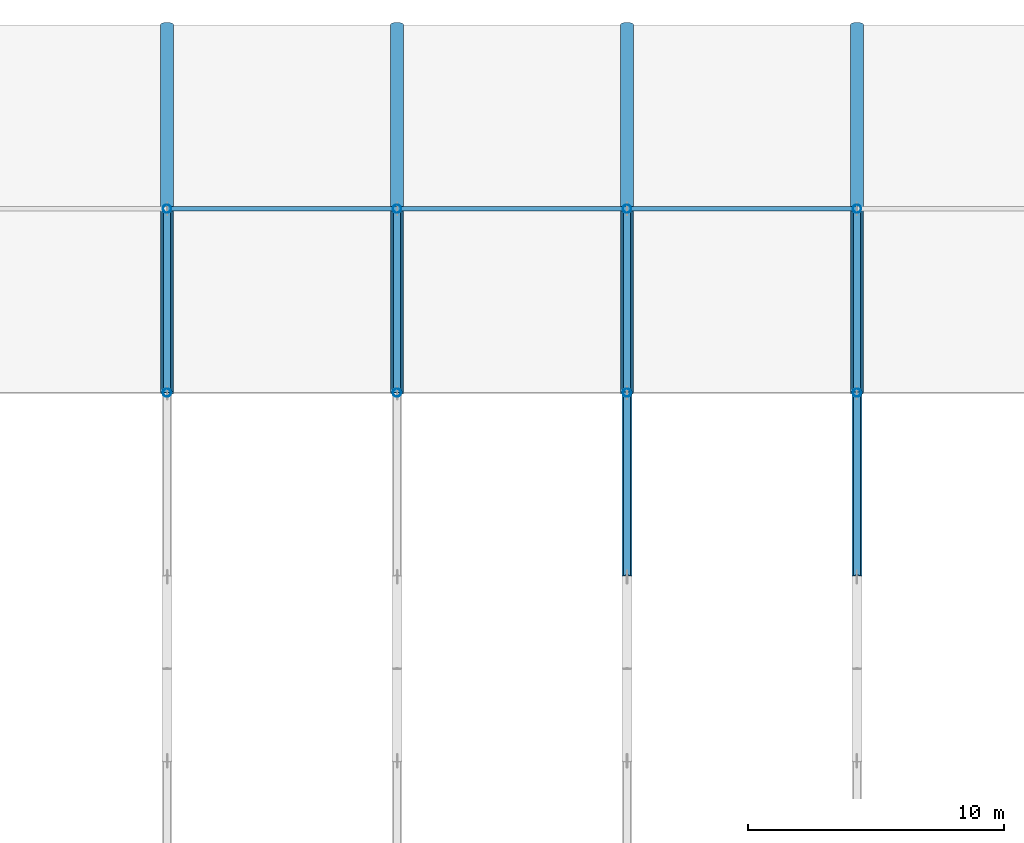
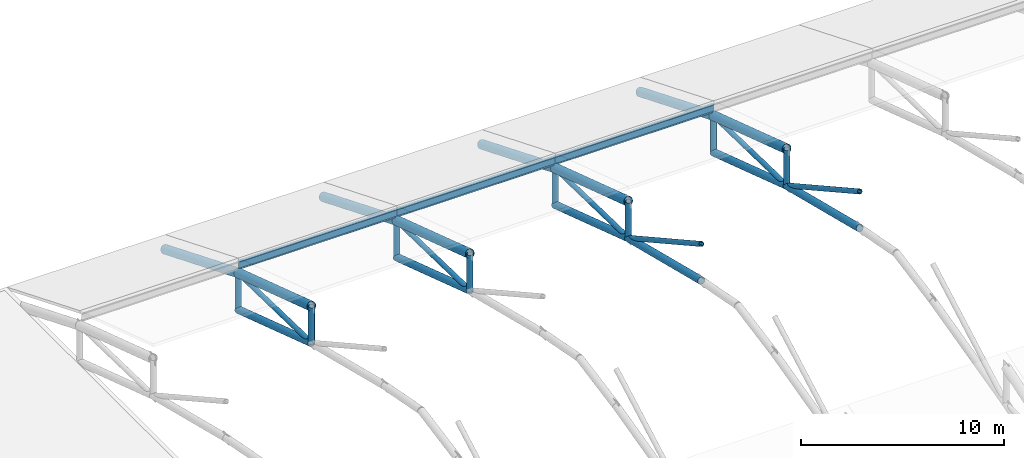
# One storey, part 50 of 78: 31 members.
"""IFC4 building model written with IfcOpenShell, lengths in metres."""

from ifc_helpers import new_model, si_unit, direction, frame, origin, origin_2d, place, context, subcontext, project, spatial, hollow_circle, i_section, extrude, material, material_profile, profile_set, type_object, element, save


model = new_model("IFC4")

# Units and contexts
model_context = context("Model", 3, precision=1e-05, world=origin(), true_north=direction((0.0, 1.0)))
body_context = subcontext(model_context, "Body", "Model", "MODEL_VIEW")
ifc_project = project(units=[si_unit("LENGTHUNIT", "METRE"), si_unit("AREAUNIT", "SQUARE_METRE"), si_unit("VOLUMEUNIT", "CUBIC_METRE"), si_unit("PLANEANGLEUNIT", "RADIAN"), si_unit("MASSUNIT", "GRAM", prefix="KILO")], contexts=[model_context])

# Site, building, storey
site_placement = place(None, origin())
site = spatial("IfcSite", under=ifc_project, at=site_placement, CompositionType="ELEMENT")
building_placement = place(site_placement, origin())
building = spatial("IfcBuilding", under=site, at=building_placement, Name="Celestram Park Convention Centre", CompositionType="ELEMENT")
storey_placement = place(building_placement, frame((0.0, 0.0, 19.800048828125)))
storey = spatial("IfcBuildingStorey", under=building, at=storey_placement, Name="L04", CompositionType="ELEMENT", Elevation=19.800048828125)

# Members
ifc_material_1 = material(Name="Steel ASTM A500 Grade C", Category="steel")
ifc_material_profile_1 = material_profile(ifc_material_1, hollow_circle(Radius=0.136474609375, WallThickness=0.010009765625, at=origin_2d()), Name="CHS273X10")
ifc_profile_set_1 = profile_set([ifc_material_profile_1], Name="Steel ASTM A500 Grade C")
member_type_1 = type_object("IfcMemberType", Name="STR-BRC-CHS273", PredefinedType="BRACE", material=ifc_profile_set_1)
for number, where, z_axis, x_axis, name in (
    (1, (162.0, 151.199951171875, 2.230712890625), (0.0, 0.999715192935, -0.023864890842), (-1.0, 0.0, 0.0), "V2 arch web diagonal"),
    (2, (171.0, 151.199951171875, 2.230712890625), (0.0, 0.999715192935, -0.023864890842), (-1.0, 0.0, 0.0), "V2 arch web diagonal"),
):
    element("IfcMember", number, at=place(storey_placement, frame(where, z_axis=z_axis, x_axis=x_axis)), inside=storey, type_object=member_type_1, Name=name, PredefinedType="BRACE", context=body_context, shape_type="SweptSolid", body=[
        extrude(hollow_circle(Radius=0.136474609375, WallThickness=0.010009765625, at=origin_2d()), origin(), (0.0, 0.0, 1.0), 7.201904296875),
    ])
member_1_placement = place(storey_placement, frame((180.0, 144.0, 6.2294921875), z_axis=(0.0, 0.874218793516, -0.485532183344), x_axis=(-1.0, 0.0, 0.0)))
element("IfcMember", 3, at=member_1_placement, inside=storey, type_object=member_type_1, Name="V2 arch web diagonal", PredefinedType="BRACE", context=body_context, shape_type="SweptSolid", body=[
    extrude(hollow_circle(Radius=0.136474609375, WallThickness=0.010009765625, at=origin_2d()), origin(), (0.0, 0.0, 1.0), 8.23583984375),
])
member_2_placement = place(storey_placement, frame((180.0, 151.199951171875, 2.230712890625), z_axis=(0.0, 0.999715192935, -0.023864890842), x_axis=(-1.0, 0.0, 0.0)))
element("IfcMember", 4, at=member_2_placement, inside=storey, type_object=member_type_1, Name="V2 arch web diagonal", PredefinedType="BRACE", context=body_context, shape_type="SweptSolid", body=[
    extrude(hollow_circle(Radius=0.136474609375, WallThickness=0.010009765625, at=origin_2d()), origin(), (0.0, 0.0, 1.0), 7.201904296875),
])
member_3_placement = place(storey_placement, frame((189.0, 144.0, 6.2294921875), z_axis=(0.0, 0.874218793516, -0.485532183344), x_axis=(-1.0, 0.0, 0.0)))
element("IfcMember", 5, at=member_3_placement, inside=storey, type_object=member_type_1, Name="V2 arch web diagonal", PredefinedType="BRACE", context=body_context, shape_type="SweptSolid", body=[
    extrude(hollow_circle(Radius=0.136474609375, WallThickness=0.010009765625, at=origin_2d()), origin(), (0.0, 0.0, 1.0), 8.23583984375),
])
member_4_placement = place(storey_placement, frame((189.0, 151.199951171875, 2.230712890625), z_axis=(0.0, 0.999715192935, -0.023864890842), x_axis=(-1.0, 0.0, 0.0)))
element("IfcMember", 6, at=member_4_placement, inside=storey, type_object=member_type_1, Name="V2 arch web diagonal", PredefinedType="BRACE", context=body_context, shape_type="SweptSolid", body=[
    extrude(hollow_circle(Radius=0.136474609375, WallThickness=0.010009765625, at=origin_2d()), origin(), (0.0, 0.0, 1.0), 7.201904296875),
])
ifc_material_profile_2 = material_profile(ifc_material_1, hollow_circle(Radius=0.202880859375, WallThickness=0.013916015625, at=origin_2d()), Name="CHS406X14")
ifc_profile_set_2 = profile_set([ifc_material_profile_2], Name="Steel ASTM A500 Grade C")
member_type_2 = type_object("IfcMemberType", Name="STR-CHD-CHS406", PredefinedType="CHORD", material=ifc_profile_set_2)
for number, where, z_axis, x_axis, name in (
    (7, (162.0, 151.199951171875, 2.230712890625), (0.0, 0.949791740943, -0.312882803678), (-1.0, 0.0, 0.0), "V2 arch bottom chord"),
    (8, (171.0, 151.199951171875, 2.230712890625), (0.0, 0.949791740943, -0.312882803678), (-1.0, 0.0, 0.0), "V2 arch bottom chord"),
):
    element("IfcMember", number, at=place(storey_placement, frame(where, z_axis=z_axis, x_axis=x_axis)), inside=storey, type_object=member_type_2, Name=name, PredefinedType="CHORD", context=body_context, shape_type="SweptSolid", body=[
        extrude(hollow_circle(Radius=0.202880859375, WallThickness=0.013916015625, at=origin_2d()), origin(), (0.0, 0.0, 1.0), 7.58056640625),
    ])
member_5_placement = place(storey_placement, frame((180.0, 144.0, 4.029541015625), z_axis=(0.0, 0.970179256757, -0.242388551212), x_axis=(-1.0, 0.0, 0.0)))
element("IfcMember", 9, at=member_5_placement, inside=storey, type_object=member_type_2, Name="V2 arch bottom chord", PredefinedType="CHORD", context=body_context, shape_type="SweptSolid", body=[
    extrude(hollow_circle(Radius=0.202880859375, WallThickness=0.013916015625, at=origin_2d()), origin(), (0.0, 0.0, 1.0), 7.421142578125),
])
member_6_placement = place(storey_placement, frame((180.0, 151.199951171875, 2.230712890625), z_axis=(0.0, 0.949791740943, -0.312882803678), x_axis=(-1.0, 0.0, 0.0)))
element("IfcMember", 10, at=member_6_placement, inside=storey, type_object=member_type_2, Name="V2 arch bottom chord", PredefinedType="CHORD", context=body_context, shape_type="SweptSolid", body=[
    extrude(hollow_circle(Radius=0.202880859375, WallThickness=0.013916015625, at=origin_2d()), origin(), (0.0, 0.0, 1.0), 7.58056640625),
])
member_7_placement = place(storey_placement, frame((189.0, 144.0, 4.029541015625), z_axis=(0.0, 0.970179256757, -0.242388551212), x_axis=(-1.0, 0.0, 0.0)))
element("IfcMember", 11, at=member_7_placement, inside=storey, type_object=member_type_2, Name="V2 arch bottom chord", PredefinedType="CHORD", context=body_context, shape_type="SweptSolid", body=[
    extrude(hollow_circle(Radius=0.202880859375, WallThickness=0.013916015625, at=origin_2d()), origin(), (0.0, 0.0, 1.0), 7.421142578125),
])
member_8_placement = place(storey_placement, frame((189.0, 151.199951171875, 2.230712890625), z_axis=(0.0, 0.949791740943, -0.312882803678), x_axis=(-1.0, 0.0, 0.0)))
element("IfcMember", 12, at=member_8_placement, inside=storey, type_object=member_type_2, Name="V2 arch bottom chord", PredefinedType="CHORD", context=body_context, shape_type="SweptSolid", body=[
    extrude(hollow_circle(Radius=0.202880859375, WallThickness=0.013916015625, at=origin_2d()), origin(), (0.0, 0.0, 1.0), 7.58056640625),
])
ifc_material_profile_3 = material_profile(ifc_material_1, hollow_circle(Radius=0.25390625, WallThickness=0.01611328125, at=origin_2d()), Name="CHS508X16")
ifc_profile_set_3 = profile_set([ifc_material_profile_3], Name="Steel ASTM A500 Grade C")
member_type_3 = type_object("IfcMemberType", Name="STR-CHD-CHS508", PredefinedType="CHORD", material=ifc_profile_set_3)
member_9_placement = place(storey_placement, frame((162.0, 151.199951171875, 4.4306640625), z_axis=(0.0, 0.949791740943, -0.312882803678), x_axis=(-1.0, 0.0, 0.0)))
element("IfcMember", 13, at=member_9_placement, inside=storey, type_object=member_type_3, Name="V2 arch top chord", PredefinedType="CHORD", context=body_context, shape_type="SweptSolid", body=[
    extrude(hollow_circle(Radius=0.25390625, WallThickness=0.01611328125, at=origin_2d()), origin(), (0.0, 0.0, 1.0), 7.58056640625),
])
member_10_placement = place(storey_placement, frame((162.0, 158.39990234375, 2.058837890625), z_axis=(0.0, 0.925578947987, -0.378554634159), x_axis=(-1.0, 0.0, 0.0)))
element("IfcMember", 14, at=member_10_placement, inside=storey, type_object=member_type_3, Name="V2 arch top chord", PredefinedType="CHORD", context=body_context, shape_type="SweptSolid", body=[
    extrude(hollow_circle(Radius=0.25390625, WallThickness=0.01611328125, at=origin_2d()), origin(), (0.0, 0.0, 1.0), 7.779052734375),
])
member_11_placement = place(storey_placement, frame((171.0, 151.199951171875, 4.4306640625), z_axis=(0.0, 0.949791740943, -0.312882803678), x_axis=(-1.0, 0.0, 0.0)))
element("IfcMember", 15, at=member_11_placement, inside=storey, type_object=member_type_3, Name="V2 arch top chord", PredefinedType="CHORD", context=body_context, shape_type="SweptSolid", body=[
    extrude(hollow_circle(Radius=0.25390625, WallThickness=0.01611328125, at=origin_2d()), origin(), (0.0, 0.0, 1.0), 7.58056640625),
])
member_12_placement = place(storey_placement, frame((171.0, 158.39990234375, 2.058837890625), z_axis=(0.0, 0.925578947987, -0.378554634159), x_axis=(-1.0, 0.0, 0.0)))
element("IfcMember", 16, at=member_12_placement, inside=storey, type_object=member_type_3, Name="V2 arch top chord", PredefinedType="CHORD", context=body_context, shape_type="SweptSolid", body=[
    extrude(hollow_circle(Radius=0.25390625, WallThickness=0.01611328125, at=origin_2d()), origin(), (0.0, 0.0, 1.0), 7.779052734375),
])
member_13_placement = place(storey_placement, frame((180.0, 151.199951171875, 4.4306640625), z_axis=(0.0, 0.949791740943, -0.312882803678), x_axis=(-1.0, 0.0, 0.0)))
element("IfcMember", 17, at=member_13_placement, inside=storey, type_object=member_type_3, Name="V2 arch top chord", PredefinedType="CHORD", context=body_context, shape_type="SweptSolid", body=[
    extrude(hollow_circle(Radius=0.25390625, WallThickness=0.01611328125, at=origin_2d()), origin(), (0.0, 0.0, 1.0), 7.58056640625),
])
member_14_placement = place(storey_placement, frame((180.0, 158.39990234375, 2.058837890625), z_axis=(0.0, 0.925578947987, -0.378554634159), x_axis=(-1.0, 0.0, 0.0)))
element("IfcMember", 18, at=member_14_placement, inside=storey, type_object=member_type_3, Name="V2 arch top chord", PredefinedType="CHORD", context=body_context, shape_type="SweptSolid", body=[
    extrude(hollow_circle(Radius=0.25390625, WallThickness=0.01611328125, at=origin_2d()), origin(), (0.0, 0.0, 1.0), 7.779052734375),
])
member_15_placement = place(storey_placement, frame((189.0, 151.199951171875, 4.4306640625), z_axis=(0.0, 0.949791740943, -0.312882803678), x_axis=(-1.0, 0.0, 0.0)))
element("IfcMember", 19, at=member_15_placement, inside=storey, type_object=member_type_3, Name="V2 arch top chord", PredefinedType="CHORD", context=body_context, shape_type="SweptSolid", body=[
    extrude(hollow_circle(Radius=0.25390625, WallThickness=0.01611328125, at=origin_2d()), origin(), (0.0, 0.0, 1.0), 7.58056640625),
])
member_16_placement = place(storey_placement, frame((189.0, 158.39990234375, 2.058837890625), z_axis=(0.0, 0.925578947987, -0.378554634159), x_axis=(-1.0, 0.0, 0.0)))
element("IfcMember", 20, at=member_16_placement, inside=storey, type_object=member_type_3, Name="V2 arch top chord", PredefinedType="CHORD", context=body_context, shape_type="SweptSolid", body=[
    extrude(hollow_circle(Radius=0.25390625, WallThickness=0.01611328125, at=origin_2d()), origin(), (0.0, 0.0, 1.0), 7.779052734375),
])
ifc_material_2 = material(Name="Steel ASTM A992 Grade 50", Category="steel")
ifc_material_profile_4 = material_profile(ifc_material_2, i_section(OverallWidth=0.19091796875, OverallDepth=0.45703125, WebThickness=0.009033203125, FlangeThickness=0.014404296875, at=origin_2d()), Name="W18X50")
ifc_profile_set_4 = profile_set([ifc_material_profile_4], Name="Steel ASTM A992 Grade 50")
member_type_4 = type_object("IfcMemberType", Name="STR-RFT-W18X50", PredefinedType="RAFTER", material=ifc_profile_set_4)
for number, where, z_axis, x_axis, name in (
    (21, (162.0, 158.39990234375, 2.541259765625), (1.0, 0.0, 0.0), (0.0, 1.0, 0.0), "V2 roof purlin"),
    (22, (171.0, 158.39990234375, 2.541259765625), (1.0, 0.0, 0.0), (0.0, 1.0, 0.0), "V2 roof purlin"),
    (23, (180.0, 158.39990234375, 2.541259765625), (1.0, 0.0, 0.0), (0.0, 1.0, 0.0), "V2 roof purlin"),
):
    element("IfcMember", number, at=place(storey_placement, frame(where, z_axis=z_axis, x_axis=x_axis)), inside=storey, type_object=member_type_4, Name=name, PredefinedType="RAFTER", context=body_context, shape_type="SweptSolid", body=[
        extrude(i_section(OverallWidth=0.19091796875, OverallDepth=0.45703125, WebThickness=0.009033203125, FlangeThickness=0.014404296875, at=origin_2d()), origin(), (0.0, 0.0, 1.0), 9.0),
    ])
ifc_material_profile_5 = material_profile(ifc_material_1, hollow_circle(Radius=0.162109375, WallThickness=0.011962890625, at=origin_2d()), Name="CHS324X12")
ifc_profile_set_5 = profile_set([ifc_material_profile_5], Name="Steel ASTM A500 Grade C")
member_type_5 = type_object("IfcMemberType", Name="STR-STR-CHS324", PredefinedType="STRUT", material=ifc_profile_set_5)
for number, where, z_axis, x_axis, name in (
    (24, (162.0, 151.199951171875, 2.230712890625), (0.0, 0.0, 1.0), (1.0, 0.0, 0.0), "V2 arch vertical strut"),
    (25, (162.0, 158.39990234375, -0.14111328125), (0.0, 0.0, 1.0), (1.0, 0.0, 0.0), "V2 arch vertical strut"),
    (26, (171.0, 151.199951171875, 2.230712890625), (0.0, 0.0, 1.0), (1.0, 0.0, 0.0), "V2 arch vertical strut"),
    (27, (171.0, 158.39990234375, -0.14111328125), (0.0, 0.0, 1.0), (1.0, 0.0, 0.0), "V2 arch vertical strut"),
    (28, (180.0, 151.199951171875, 2.230712890625), (0.0, 0.0, 1.0), (1.0, 0.0, 0.0), "V2 arch vertical strut"),
    (29, (180.0, 158.39990234375, -0.14111328125), (0.0, 0.0, 1.0), (1.0, 0.0, 0.0), "V2 arch vertical strut"),
    (30, (189.0, 151.199951171875, 2.230712890625), (0.0, 0.0, 1.0), (1.0, 0.0, 0.0), "V2 arch vertical strut"),
    (31, (189.0, 158.39990234375, -0.14111328125), (0.0, 0.0, 1.0), (1.0, 0.0, 0.0), "V2 arch vertical strut"),
):
    element("IfcMember", number, at=place(storey_placement, frame(where, z_axis=z_axis, x_axis=x_axis)), inside=storey, type_object=member_type_5, Name=name, PredefinedType="STRUT", context=body_context, shape_type="SweptSolid", body=[
        extrude(hollow_circle(Radius=0.162109375, WallThickness=0.011962890625, at=origin_2d()), origin(), (0.0, 0.0, 1.0), 2.199951171875),
    ])

save(model, "model.ifc")
